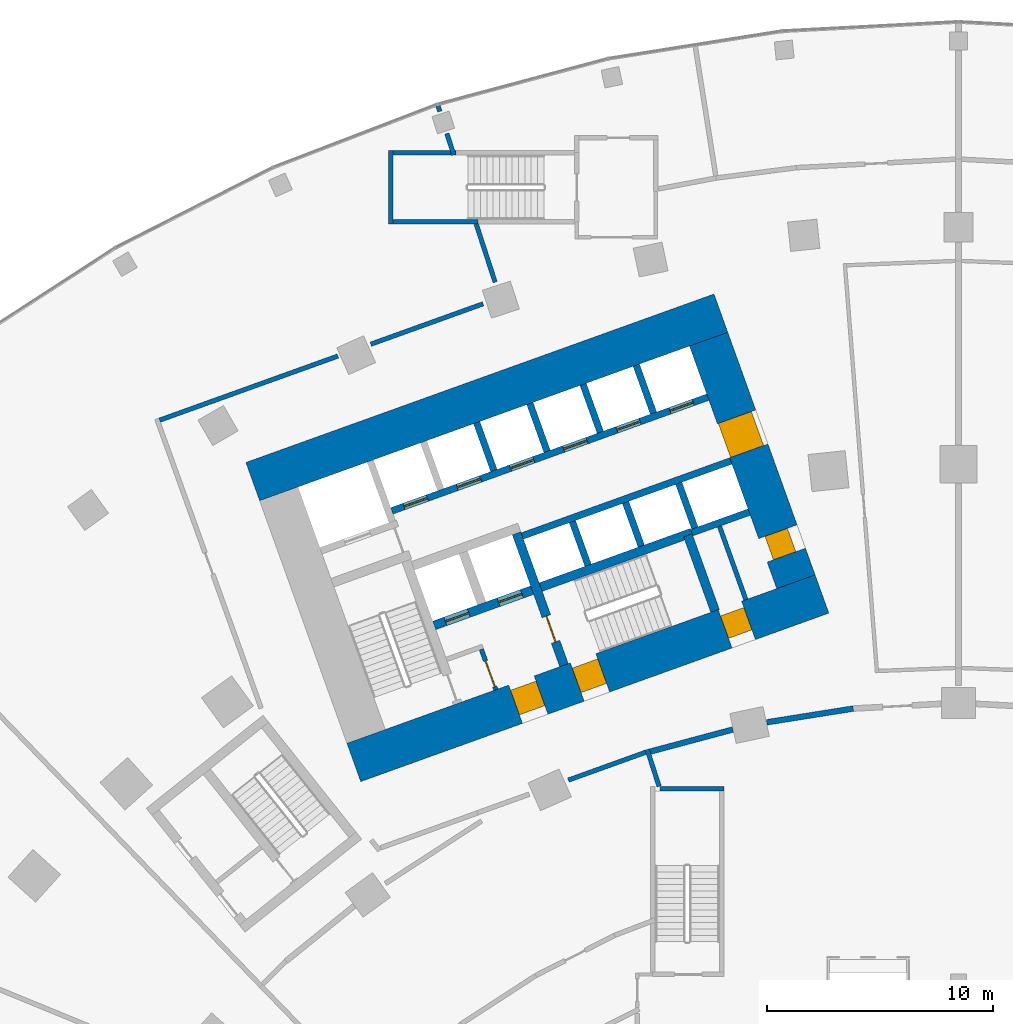
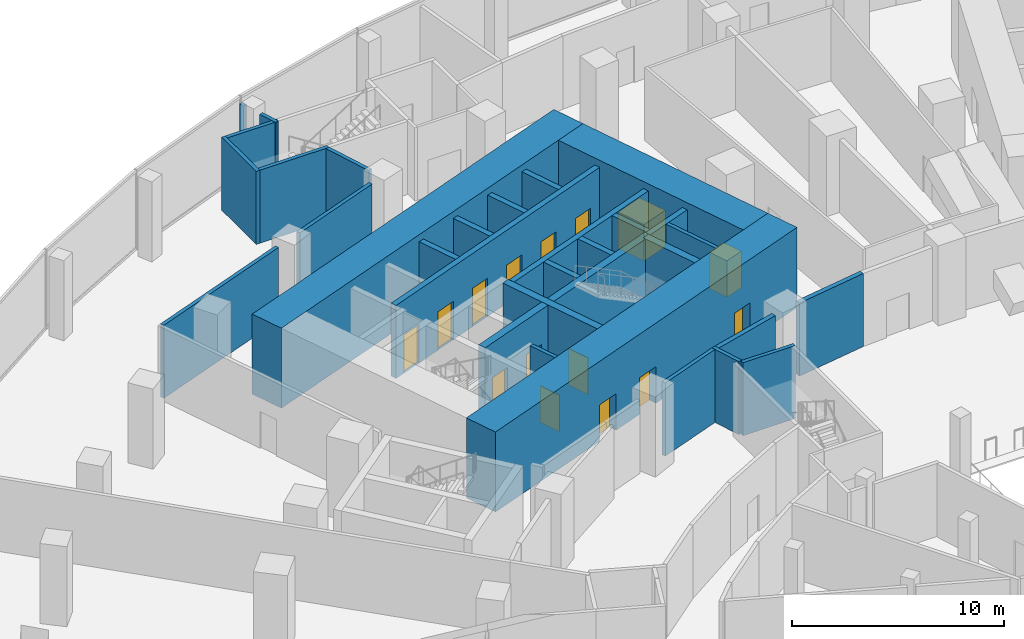
# One storey, part 24 of 40: 31 walls, 15 doors, 15 openings.
"""IFC4 building model written with IfcOpenShell, lengths in metres."""

from ifc_helpers import new_model, si_unit, direction, frame, frame_2d, origin, place, context, subcontext, project, spatial, rectangle, extrude, material, layer, layer_set, type_object, element, fill, save


model = new_model("IFC4")

# Units and contexts
model_context = context("Model", 3, precision=1e-05, world=origin(), true_north=direction((0.0, 1.0)))
body_context = subcontext(model_context, "Body", "Model", "MODEL_VIEW")
ifc_project = project(units=[si_unit("LENGTHUNIT", "METRE"), si_unit("AREAUNIT", "SQUARE_METRE"), si_unit("VOLUMEUNIT", "CUBIC_METRE"), si_unit("PLANEANGLEUNIT", "RADIAN"), si_unit("MASSUNIT", "GRAM", prefix="KILO")], contexts=[model_context])

# Site, building, storey
site_placement = place(None, origin())
site = spatial("IfcSite", under=ifc_project, at=site_placement, CompositionType="ELEMENT")
building_placement = place(site_placement, origin())
building = spatial("IfcBuilding", under=site, at=building_placement, Name="Stone Belt Terrace Tower", CompositionType="ELEMENT")
storey_placement = place(building_placement, frame((0.0, 0.0, 7.0)))
storey = spatial("IfcBuildingStorey", under=building, at=storey_placement, Name="L01", CompositionType="ELEMENT", Elevation=7.0)

# Wall, openings, doors
ifc_material_1 = material(Name="Concrete B80", Category="concrete")
ifc_layer_1 = layer(ifc_material_1, 1.800048828125)
ifc_layer_set_1 = layer_set([ifc_layer_1], Name="Core wall 1800 B80")
wall_type_1 = type_object("IfcWallType", Name="Core wall 1800 B80", PredefinedType="SHEAR", material=ifc_layer_set_1)
wall_1_placement = place(storey_placement, frame((-26.739501953125, 41.815673828125, 0.0), z_axis=(0.0, 0.0, 1.0), x_axis=(0.940921642213, 0.338624368902, 0.0)))
wall_1 = element("IfcWall", 1, at=wall_1_placement, inside=storey, type_object=wall_type_1, Name="Core A wall concave L01", PredefinedType="SHEAR", context=body_context, shape_type="SweptSolid", body=[
    extrude(rectangle(XDim=22.0, YDim=1.800048828125, at=frame_2d((11.0, 0.0))), origin(), (0.0, 0.0, 1.0), 4.60009765625),
])
opening_1_placement = place(wall_1_placement, frame((7.60009765625, 0.0, 0.0)))
opening_1 = element("IfcOpeningElement", 2, at=opening_1_placement, cuts=wall_1, Name="Opening L01-C05", PredefinedType="OPENING", context=body_context, shape_type="SweptSolid", body=[
    extrude(rectangle(XDim=1.199951171875, YDim=2.10009765625, at=frame_2d((0.60009765625, 1.050048828125))), frame((0.0, 0.909912109375, 0.0), z_axis=(0.0, -1.0, 0.0), x_axis=(1.0, 0.0, 0.0)), (0.0, 0.0, 1.0), 1.820068359375),
])
opening_2_placement = place(wall_1_placement, frame((10.5, 0.0, 0.0)))
opening_2 = element("IfcOpeningElement", 3, at=opening_2_placement, cuts=wall_1, Name="Opening L01-C07", PredefinedType="OPENING", context=body_context, shape_type="SweptSolid", body=[
    extrude(rectangle(XDim=1.199951171875, YDim=2.10009765625, at=frame_2d((0.60009765625, 1.050048828125))), frame((0.0, 0.909912109375, 0.0), z_axis=(0.0, -1.0, 0.0), x_axis=(1.0, 0.0, 0.0)), (0.0, 0.0, 1.0), 1.820068359375),
])
opening_3_placement = place(wall_1_placement, frame((17.449951171875, 0.0, 0.0)))
opening_3 = element("IfcOpeningElement", 4, at=opening_3_placement, cuts=wall_1, Name="Opening L01-C09", PredefinedType="OPENING", context=body_context, shape_type="SweptSolid", body=[
    extrude(rectangle(XDim=1.10009765625, YDim=2.10009765625, at=frame_2d((0.550048828125, 1.050048828125))), frame((0.0, 0.909912109375, 0.0), z_axis=(0.0, -1.0, 0.0), x_axis=(1.0, 0.0, 0.0)), (0.0, 0.0, 1.0), 1.820068359375),
])
ifc_material_2 = material(Name="Timber door leaf", Category="wood")
door_type_1 = type_object("IfcDoorType", Name="Core room door 1100", OperationType="SINGLE_SWING_LEFT", PredefinedType="DOOR", material=ifc_material_2)
door_1_placement = place(opening_3_placement, origin())
door_1 = element("IfcDoor", 5, at=door_1_placement, inside=storey, type_object=door_type_1, Name="Door to Communications riser room core A", OperationType="SINGLE_SWING_RIGHT", OverallHeight=2.10009765625, OverallWidth=1.10009765625, PredefinedType="DOOR", context=body_context, shape_type="SweptSolid", body=[
    extrude(rectangle(XDim=1.10009765625, YDim=2.10009765625, at=frame_2d((0.550048828125, 1.050048828125))), frame((0.0, 0.60498046875, 0.0), z_axis=(0.0, -1.0, 0.0), x_axis=(1.0, 0.0, 0.0)), (0.0, 0.0, 1.0), 1.050048828125),
])
fill(opening_3, door_1)
ifc_material_3 = material(Name="Steel door leaf", Category="steel")
door_type_2 = type_object("IfcDoorType", Name="Fire-fighting lobby door 1200", OperationType="SINGLE_SWING_LEFT", PredefinedType="DOOR", material=ifc_material_3)
door_2_placement = place(opening_1_placement, origin())
door_2 = element("IfcDoor", 6, at=door_2_placement, inside=storey, type_object=door_type_2, Name="Fire-fighting lobby door core A", OperationType="SINGLE_SWING_RIGHT", OverallHeight=2.10009765625, OverallWidth=1.199951171875, PredefinedType="DOOR", context=body_context, shape_type="SweptSolid", body=[
    extrude(rectangle(XDim=1.199951171875, YDim=2.10009765625, at=frame_2d((0.60009765625, 1.050048828125))), frame((0.0, 0.655029296875, 0.0), z_axis=(0.0, -1.0, 0.0), x_axis=(1.0, 0.0, 0.0)), (0.0, 0.0, 1.0), 1.14990234375),
])
fill(opening_1, door_2)
door_type_3 = type_object("IfcDoorType", Name="Stair door 1200", OperationType="SINGLE_SWING_LEFT", PredefinedType="DOOR", material=ifc_material_3)
door_3_placement = place(opening_2_placement, origin())
door_3 = element("IfcDoor", 7, at=door_3_placement, inside=storey, type_object=door_type_3, Name="Stair 2 exit door core A", OperationType="SINGLE_SWING_LEFT", OverallHeight=2.10009765625, OverallWidth=1.199951171875, PredefinedType="DOOR", context=body_context, shape_type="SweptSolid", body=[
    extrude(rectangle(XDim=1.199951171875, YDim=2.10009765625, at=frame_2d((0.60009765625, 1.050048828125))), frame((0.0, 0.655029296875, 0.0), z_axis=(0.0, -1.0, 0.0), x_axis=(1.0, 0.0, 0.0)), (0.0, 0.0, 1.0), 1.14990234375),
])
fill(opening_2, door_3)

# Wall
wall_2_placement = place(storey_placement, frame((-31.20947265625, 54.23583984375, 0.0), z_axis=(0.0, 0.0, 1.0), x_axis=(0.940922914687, 0.338620833112, 0.0)))
element("IfcWall", 8, at=wall_2_placement, inside=storey, type_object=wall_type_1, Name="Core A wall convex L01", PredefinedType="SHEAR", context=body_context, shape_type="SweptSolid", body=[
    extrude(rectangle(XDim=22.000244140625, YDim=1.800048828125, at=frame_2d((11.0, 0.0))), origin(), (0.0, 0.0, 1.0), 4.60009765625),
])

# Wall, openings, doors
wall_3_placement = place(storey_placement, frame((-7.19091796875, 49.8076171875, 0.0), z_axis=(0.0, 0.0, 1.0), x_axis=(-0.338632255135, 0.940918804033, 0.0)))
wall_3 = element("IfcWall", 9, at=wall_3_placement, inside=storey, type_object=wall_type_1, Name="Core A wall end_b L01", PredefinedType="SHEAR", context=body_context, shape_type="SweptSolid", body=[
    extrude(rectangle(XDim=11.39990234375, YDim=1.800048828125, at=frame_2d((5.699951171875, 0.0))), origin(), (0.0, 0.0, 1.0), 4.60009765625),
])
opening_4_placement = place(wall_3_placement, frame((6.14990234375, 0.0, 0.0)))
opening_4 = element("IfcOpeningElement", 10, at=opening_4_placement, cuts=wall_3, Name="Opening L01-C02", PredefinedType="OPENING", context=body_context, shape_type="SweptSolid", body=[
    extrude(rectangle(XDim=1.60009765625, YDim=2.10009765625, at=frame_2d((0.800048828125, 1.050048828125))), frame((0.0, 0.909912109375, 0.0), z_axis=(0.0, -1.0, 0.0), x_axis=(1.0, 0.0, 0.0)), (0.0, 0.0, 1.0), 1.820068359375),
])
opening_5_placement = place(wall_3_placement, frame((1.25, 0.0, 0.0)))
opening_5 = element("IfcOpeningElement", 11, at=opening_5_placement, cuts=wall_3, Name="Opening L01-C08", PredefinedType="OPENING", context=body_context, shape_type="SweptSolid", body=[
    extrude(rectangle(XDim=1.10009765625, YDim=2.10009765625, at=frame_2d((0.550048828125, 1.050048828125))), frame((0.0, 0.909912109375, 0.0), z_axis=(0.0, -1.0, 0.0), x_axis=(1.0, 0.0, 0.0)), (0.0, 0.0, 1.0), 1.820068359375),
])
door_4_placement = place(opening_5_placement, origin())
door_4 = element("IfcDoor", 12, at=door_4_placement, inside=storey, type_object=door_type_1, Name="Door to Cleaner's store core A", OperationType="SINGLE_SWING_LEFT", OverallHeight=2.10009765625, OverallWidth=1.10009765625, PredefinedType="DOOR", context=body_context, shape_type="SweptSolid", body=[
    extrude(rectangle(XDim=1.10009765625, YDim=2.10009765625, at=frame_2d((0.550048828125, 1.050048828125))), frame((0.0, 0.60498046875, 0.0), z_axis=(0.0, -1.0, 0.0), x_axis=(1.0, 0.0, 0.0)), (0.0, 0.0, 1.0), 1.050048828125),
])
fill(opening_5, door_4)
ifc_material_4 = material(Name="Glazed aluminium door leaf", Category="aluminium")
door_type_4 = type_object("IfcDoorType", Name="Lift lobby entrance door 1600", OperationType="DOUBLE_DOOR_SINGLE_SWING", PredefinedType="DOOR", material=ifc_material_4)
door_5_placement = place(opening_4_placement, origin())
door_5 = element("IfcDoor", 13, at=door_5_placement, inside=storey, type_object=door_type_4, Name="Lift lobby entrance door core A", OperationType="DOUBLE_DOOR_SINGLE_SWING", OverallHeight=2.10009765625, OverallWidth=1.60009765625, PredefinedType="DOOR", context=body_context, shape_type="SweptSolid", body=[
    extrude(rectangle(XDim=1.60009765625, YDim=2.10009765625, at=frame_2d((0.800048828125, 1.050048828125))), frame((0.0, 0.85498046875, 0.0), z_axis=(0.0, -1.0, 0.0), x_axis=(1.0, 0.0, 0.0)), (0.0, 0.0, 1.0), 1.550048828125),
])
fill(opening_4, door_5)

# Walls
ifc_material_5 = material(Name="Fire-resistant glazing in steel frame", Category="steel")
ifc_layer_2 = layer(ifc_material_5, 0.25)
ifc_layer_set_2 = layer_set([ifc_layer_2], Name="Glazed compartment fire screen 250")
wall_type_2 = type_object("IfcWallType", Name="Glazed compartment fire screen 250", PredefinedType="PARTITIONING", material=ifc_layer_set_2)
wall_4_placement = place(storey_placement, frame((-13.63330078125, 42.2958984375, 0.0), z_axis=(0.0, 0.0, 1.0), x_axis=(0.966100738004, 0.258165381159, 0.0)))
element("IfcWall", 14, at=wall_4_placement, inside=storey, type_object=wall_type_2, Name="Compartment fire screen L01 3", PredefinedType="PARTITIONING", context=body_context, shape_type="SweptSolid", body=[
    extrude(rectangle(XDim=3.778076171875, YDim=0.25, at=frame_2d((1.88916015625, 0.0))), origin(), (0.0, 0.0, 1.0), 4.199951171875),
])
wall_5_placement = place(storey_placement, frame((-8.4794921875, 43.5908203125, 0.0), z_axis=(0.0, 0.0, 1.0), x_axis=(0.98758230791, 0.157102466888, 0.0)))
element("IfcWall", 15, at=wall_5_placement, inside=storey, type_object=wall_type_2, Name="Compartment fire screen L01 4", PredefinedType="PARTITIONING", context=body_context, shape_type="SweptSolid", body=[
    extrude(rectangle(XDim=3.87109375, YDim=0.25, at=frame_2d((1.935546875, 0.0))), origin(), (0.0, 0.0, 1.0), 4.199951171875),
])

# Wall, openings, doors
ifc_layer_3 = layer(ifc_material_1, 0.300048828125)
ifc_layer_set_3 = layer_set([ifc_layer_3], Name="Lift shaft wall 300")
wall_type_3 = type_object("IfcWallType", Name="Lift shaft wall 300", PredefinedType="SHEAR", material=ifc_layer_set_3)
wall_6_placement = place(storey_placement, frame((-25.05810546875, 52.9423828125, 0.0), z_axis=(0.0, 0.0, 1.0), x_axis=(0.940918215764, 0.338633889685, 0.0)))
wall_6 = element("IfcWall", 16, at=wall_6_placement, inside=storey, type_object=wall_type_3, Name="Core A wall", PredefinedType="SHEAR", context=body_context, shape_type="SweptSolid", body=[
    extrude(rectangle(XDim=14.850341796875, YDim=0.300048828125, at=frame_2d((7.42529296875, 0.0))), origin(), (0.0, 0.0, 1.0), 4.199951171875),
])
opening_6_placement = place(wall_6_placement, frame((0.570068359375, 0.0, 0.0)))
opening_6 = element("IfcOpeningElement", 17, at=opening_6_placement, cuts=wall_6, Name="Opening L01-LD01", PredefinedType="OPENING", context=body_context, shape_type="SweptSolid", body=[
    extrude(rectangle(XDim=1.10009765625, YDim=2.199951171875, at=frame_2d((0.550048828125, 1.10009765625))), frame((0.0, 0.159912109375, 0.0), z_axis=(0.0, -1.0, 0.0), x_axis=(1.0, 0.0, 0.0)), (0.0, 0.0, 1.0), 0.320068359375),
])
opening_7_placement = place(wall_6_placement, frame((3.070068359375, 0.0, 0.0)))
opening_7 = element("IfcOpeningElement", 18, at=opening_7_placement, cuts=wall_6, Name="Opening L01-LD02", PredefinedType="OPENING", context=body_context, shape_type="SweptSolid", body=[
    extrude(rectangle(XDim=1.10009765625, YDim=2.199951171875, at=frame_2d((0.550048828125, 1.10009765625))), frame((0.0, 0.159912109375, 0.0), z_axis=(0.0, -1.0, 0.0), x_axis=(1.0, 0.0, 0.0)), (0.0, 0.0, 1.0), 0.320068359375),
])
opening_8_placement = place(wall_6_placement, frame((5.570068359375, 0.0, 0.0)))
opening_8 = element("IfcOpeningElement", 19, at=opening_8_placement, cuts=wall_6, Name="Opening L01-LD03", PredefinedType="OPENING", context=body_context, shape_type="SweptSolid", body=[
    extrude(rectangle(XDim=1.10009765625, YDim=2.199951171875, at=frame_2d((0.550048828125, 1.10009765625))), frame((0.0, 0.159912109375, 0.0), z_axis=(0.0, -1.0, 0.0), x_axis=(1.0, 0.0, 0.0)), (0.0, 0.0, 1.0), 0.320068359375),
])
opening_9_placement = place(wall_6_placement, frame((8.070068359375, 0.0, 0.0)))
opening_9 = element("IfcOpeningElement", 20, at=opening_9_placement, cuts=wall_6, Name="Opening L01-LD04", PredefinedType="OPENING", context=body_context, shape_type="SweptSolid", body=[
    extrude(rectangle(XDim=1.10009765625, YDim=2.199951171875, at=frame_2d((0.550048828125, 1.10009765625))), frame((0.0, 0.159912109375, 0.0), z_axis=(0.0, -1.0, 0.0), x_axis=(1.0, 0.0, 0.0)), (0.0, 0.0, 1.0), 0.320068359375),
])
opening_10_placement = place(wall_6_placement, frame((10.570068359375, 0.0, 0.0)))
opening_10 = element("IfcOpeningElement", 21, at=opening_10_placement, cuts=wall_6, Name="Opening L01-LD05", PredefinedType="OPENING", context=body_context, shape_type="SweptSolid", body=[
    extrude(rectangle(XDim=1.10009765625, YDim=2.199951171875, at=frame_2d((0.550048828125, 1.10009765625))), frame((0.0, 0.159912109375, 0.0), z_axis=(0.0, -1.0, 0.0), x_axis=(1.0, 0.0, 0.0)), (0.0, 0.0, 1.0), 0.320068359375),
])
opening_11_placement = place(wall_6_placement, frame((13.070068359375, 0.0, 0.0)))
opening_11 = element("IfcOpeningElement", 22, at=opening_11_placement, cuts=wall_6, Name="Opening L01-LD06", PredefinedType="OPENING", context=body_context, shape_type="SweptSolid", body=[
    extrude(rectangle(XDim=1.10009765625, YDim=2.199951171875, at=frame_2d((0.550048828125, 1.10009765625))), frame((0.0, 0.159912109375, 0.0), z_axis=(0.0, -1.0, 0.0), x_axis=(1.0, 0.0, 0.0)), (0.0, 0.0, 1.0), 0.320068359375),
])
ifc_material_6 = material(Name="Stainless steel door leaf", Category="steel")
door_type_5 = type_object("IfcDoorType", Name="Landing door 1100", OperationType="SLIDING_TO_LEFT", PredefinedType="DOOR", material=ifc_material_6)
door_6_placement = place(opening_6_placement, origin())
door_6 = element("IfcDoor", 23, at=door_6_placement, inside=storey, type_object=door_type_5, Name="Landing door LR1 core A", OperationType="SLIDING_TO_LEFT", OverallHeight=2.199951171875, OverallWidth=1.10009765625, PredefinedType="DOOR", context=body_context, shape_type="SweptSolid", body=[
    extrude(rectangle(XDim=1.10009765625, YDim=2.199951171875, at=frame_2d((0.550048828125, 1.10009765625))), frame((0.0, 0.02490234375, 0.0), z_axis=(0.0, -1.0, 0.0), x_axis=(1.0, 0.0, 0.0)), (0.0, 0.0, 1.0), 0.050048828125),
])
fill(opening_6, door_6)
door_7_placement = place(opening_7_placement, origin())
door_7 = element("IfcDoor", 24, at=door_7_placement, inside=storey, type_object=door_type_5, Name="Landing door LR2 core A", OperationType="SLIDING_TO_LEFT", OverallHeight=2.199951171875, OverallWidth=1.10009765625, PredefinedType="DOOR", context=body_context, shape_type="SweptSolid", body=[
    extrude(rectangle(XDim=1.10009765625, YDim=2.199951171875, at=frame_2d((0.550048828125, 1.10009765625))), frame((0.0, 0.02490234375, 0.0), z_axis=(0.0, -1.0, 0.0), x_axis=(1.0, 0.0, 0.0)), (0.0, 0.0, 1.0), 0.050048828125),
])
fill(opening_7, door_7)
door_8_placement = place(opening_8_placement, origin())
door_8 = element("IfcDoor", 25, at=door_8_placement, inside=storey, type_object=door_type_5, Name="Landing door LR3 core A", OperationType="SLIDING_TO_LEFT", OverallHeight=2.199951171875, OverallWidth=1.10009765625, PredefinedType="DOOR", context=body_context, shape_type="SweptSolid", body=[
    extrude(rectangle(XDim=1.10009765625, YDim=2.199951171875, at=frame_2d((0.550048828125, 1.10009765625))), frame((0.0, 0.02490234375, 0.0), z_axis=(0.0, -1.0, 0.0), x_axis=(1.0, 0.0, 0.0)), (0.0, 0.0, 1.0), 0.050048828125),
])
fill(opening_8, door_8)
door_9_placement = place(opening_9_placement, origin())
door_9 = element("IfcDoor", 26, at=door_9_placement, inside=storey, type_object=door_type_5, Name="Landing door LR4 core A", OperationType="SLIDING_TO_LEFT", OverallHeight=2.199951171875, OverallWidth=1.10009765625, PredefinedType="DOOR", context=body_context, shape_type="SweptSolid", body=[
    extrude(rectangle(XDim=1.10009765625, YDim=2.199951171875, at=frame_2d((0.550048828125, 1.10009765625))), frame((0.0, 0.02490234375, 0.0), z_axis=(0.0, -1.0, 0.0), x_axis=(1.0, 0.0, 0.0)), (0.0, 0.0, 1.0), 0.050048828125),
])
fill(opening_9, door_9)
door_10_placement = place(opening_10_placement, origin())
door_10 = element("IfcDoor", 27, at=door_10_placement, inside=storey, type_object=door_type_5, Name="Landing door LR5 core A", OperationType="SLIDING_TO_LEFT", OverallHeight=2.199951171875, OverallWidth=1.10009765625, PredefinedType="DOOR", context=body_context, shape_type="SweptSolid", body=[
    extrude(rectangle(XDim=1.10009765625, YDim=2.199951171875, at=frame_2d((0.550048828125, 1.10009765625))), frame((0.0, 0.02490234375, 0.0), z_axis=(0.0, -1.0, 0.0), x_axis=(1.0, 0.0, 0.0)), (0.0, 0.0, 1.0), 0.050048828125),
])
fill(opening_10, door_10)
door_11_placement = place(opening_11_placement, origin())
door_11 = element("IfcDoor", 28, at=door_11_placement, inside=storey, type_object=door_type_5, Name="Landing door LR6 core A", OperationType="SLIDING_TO_LEFT", OverallHeight=2.199951171875, OverallWidth=1.10009765625, PredefinedType="DOOR", context=body_context, shape_type="SweptSolid", body=[
    extrude(rectangle(XDim=1.10009765625, YDim=2.199951171875, at=frame_2d((0.550048828125, 1.10009765625))), frame((0.0, 0.02490234375, 0.0), z_axis=(0.0, -1.0, 0.0), x_axis=(1.0, 0.0, 0.0)), (0.0, 0.0, 1.0), 0.050048828125),
])
fill(opening_11, door_11)

# Walls
wall_7_placement = place(storey_placement, frame((-19.29052734375, 51.829833984375, 0.0), z_axis=(0.0, 0.0, 1.0), x_axis=(0.940925833398, 0.338612722803, 0.0)))
element("IfcWall", 29, at=wall_7_placement, inside=storey, type_object=wall_type_3, Name="Core A wall", PredefinedType="SHEAR", context=body_context, shape_type="SweptSolid", body=[
    extrude(rectangle(XDim=9.7998046875, YDim=0.300048828125, at=frame_2d((4.89990234375, 0.0))), origin(), (0.0, 0.0, 1.0), 4.199951171875),
])
wall_8_placement = place(storey_placement, frame((-20.54541015625, 54.72607421875, 0.0), z_axis=(0.0, 0.0, 1.0), x_axis=(-0.338569601369, 0.940941350472, 0.0)))
element("IfcWall", 30, at=wall_8_placement, inside=storey, type_object=wall_type_3, Name="Core A wall", PredefinedType="SHEAR", context=body_context, shape_type="SweptSolid", body=[
    extrude(rectangle(XDim=2.249755859375, YDim=0.300048828125, at=frame_2d((1.125, 0.0))), origin(), (0.0, 0.0, 1.0), 4.199951171875),
])
wall_9_placement = place(storey_placement, frame((-16.38134765625, 50.53857421875, 0.0), z_axis=(0.0, 0.0, 1.0), x_axis=(-0.338681515556, 0.940901073982, 0.0)))
element("IfcWall", 31, at=wall_9_placement, inside=storey, type_object=wall_type_3, Name="Core A wall", PredefinedType="SHEAR", context=body_context, shape_type="SweptSolid", body=[
    extrude(rectangle(XDim=2.050048828125, YDim=0.300048828125, at=frame_2d((1.02490234375, 0.0))), origin(), (0.0, 0.0, 1.0), 4.199951171875),
])
wall_10_placement = place(storey_placement, frame((-18.193115234375, 55.572509765625, 0.0), z_axis=(0.0, 0.0, 1.0), x_axis=(-0.338535034312, 0.940953787677, 0.0)))
element("IfcWall", 32, at=wall_10_placement, inside=storey, type_object=wall_type_3, Name="Core A wall", PredefinedType="SHEAR", context=body_context, shape_type="SweptSolid", body=[
    extrude(rectangle(XDim=2.25, YDim=0.300048828125, at=frame_2d((1.125, 0.0))), origin(), (0.0, 0.0, 1.0), 4.199951171875),
])
wall_11_placement = place(storey_placement, frame((-14.029052734375, 51.38525390625, 0.0), z_axis=(0.0, 0.0, 1.0), x_axis=(-0.338681515556, 0.940901073982, 0.0)))
element("IfcWall", 33, at=wall_11_placement, inside=storey, type_object=wall_type_3, Name="Core A wall", PredefinedType="SHEAR", context=body_context, shape_type="SweptSolid", body=[
    extrude(rectangle(XDim=2.050048828125, YDim=0.300048828125, at=frame_2d((1.02490234375, 0.0))), origin(), (0.0, 0.0, 1.0), 4.199951171875),
])
wall_12_placement = place(storey_placement, frame((-15.8408203125, 56.419189453125, 0.0), z_axis=(0.0, 0.0, 1.0), x_axis=(-0.338569601369, 0.940941350472, 0.0)))
element("IfcWall", 34, at=wall_12_placement, inside=storey, type_object=wall_type_3, Name="Core A wall", PredefinedType="SHEAR", context=body_context, shape_type="SweptSolid", body=[
    extrude(rectangle(XDim=2.249755859375, YDim=0.300048828125, at=frame_2d((1.125, 0.0))), origin(), (0.0, 0.0, 1.0), 4.199951171875),
])
wall_13_placement = place(storey_placement, frame((-11.797119140625, 51.975830078125, 0.0), z_axis=(0.0, 0.0, 1.0), x_axis=(0.940910465161, 0.33865542451, 0.0)))
element("IfcWall", 35, at=wall_13_placement, inside=storey, type_object=wall_type_3, Name="Core A wall", PredefinedType="SHEAR", context=body_context, shape_type="SweptSolid", body=[
    extrude(rectangle(XDim=2.69970703125, YDim=0.300048828125, at=frame_2d((1.349853515625, 0.0))), origin(), (0.0, 0.0, 1.0), 4.199951171875),
])
wall_14_placement = place(storey_placement, frame((-11.659912109375, 52.184814453125, 0.0), z_axis=(0.0, 0.0, 1.0), x_axis=(-0.338670064856, 0.940905195634, 0.0)))
element("IfcWall", 36, at=wall_14_placement, inside=storey, type_object=wall_type_3, Name="Core A wall", PredefinedType="SHEAR", context=body_context, shape_type="SweptSolid", body=[
    extrude(rectangle(XDim=2.099853515625, YDim=0.300048828125, at=frame_2d((1.0498046875, 0.0))), origin(), (0.0, 0.0, 1.0), 4.199951171875),
])
wall_15_placement = place(storey_placement, frame((-13.48828125, 57.265625, 0.0), z_axis=(0.0, 0.0, 1.0), x_axis=(-0.338631098537, 0.940919220286, 0.0)))
element("IfcWall", 37, at=wall_15_placement, inside=storey, type_object=wall_type_3, Name="Core A wall", PredefinedType="SHEAR", context=body_context, shape_type="SweptSolid", body=[
    extrude(rectangle(XDim=2.250244140625, YDim=0.300048828125, at=frame_2d((1.125, 0.0))), origin(), (0.0, 0.0, 1.0), 4.199951171875),
])
ifc_material_7 = material(Name="Blockwork wall, plastered both faces", Category="masonry")
ifc_layer_4 = layer(ifc_material_7, 0.199951171875)
ifc_layer_set_4 = layer_set([ifc_layer_4], Name="Podium demising wall 200")
wall_type_4 = type_object("IfcWallType", Name="Podium demising wall 200", PredefinedType="PARTITIONING", material=ifc_layer_set_4)
wall_16_placement = place(storey_placement, frame((-35.325927734375, 56.953857421875, 0.0), z_axis=(0.0, 0.0, 1.0), x_axis=(0.940968401959, 0.33849441135, 0.0)))
element("IfcWall", 38, at=wall_16_placement, inside=storey, type_object=wall_type_4, Name="Podium demising wall 200", PredefinedType="PARTITIONING", context=body_context, shape_type="SweptSolid", body=[
    extrude(rectangle(XDim=8.37451171875, YDim=0.199951171875, at=frame_2d((4.187255859375, 0.0))), origin(), (0.0, 0.0, 1.0), 4.199951171875),
])
wall_17_placement = place(storey_placement, frame((-25.988525390625, 60.312744140625, 0.0), z_axis=(0.0, 0.0, 1.0), x_axis=(0.940962329777, 0.338511290715, 0.0)))
element("IfcWall", 39, at=wall_17_placement, inside=storey, type_object=wall_type_4, Name="Podium demising wall 200", PredefinedType="PARTITIONING", context=body_context, shape_type="SweptSolid", body=[
    extrude(rectangle(XDim=5.274169921875, YDim=0.199951171875, at=frame_2d((2.63720703125, 0.0))), origin(), (0.0, 0.0, 1.0), 4.199951171875),
])
wall_18_placement = place(storey_placement, frame((-23.021240234375, 70.85400390625, 0.0), z_axis=(0.0, 0.0, 1.0), x_axis=(0.308117681969, -0.951348250673, 0.0)))
element("IfcWall", 40, at=wall_18_placement, inside=storey, type_object=wall_type_4, Name="Podium demising wall 200", PredefinedType="PARTITIONING", context=body_context, shape_type="SweptSolid", body=[
    extrude(rectangle(XDim=0.26220703125, YDim=0.199951171875, at=frame_2d((0.131103515625, 0.0))), origin(), (0.0, 0.0, 1.0), 4.199951171875),
])
wall_19_placement = place(storey_placement, frame((-22.62646484375, 69.634033203125, 0.0), z_axis=(0.0, 0.0, 1.0), x_axis=(0.307962881637, -0.951398372678, 0.0)))
element("IfcWall", 41, at=wall_19_placement, inside=storey, type_object=wall_type_4, Name="Podium demising wall 200", PredefinedType="PARTITIONING", context=body_context, shape_type="SweptSolid", body=[
    extrude(rectangle(XDim=1.0029296875, YDim=0.199951171875, at=frame_2d((0.50146484375, 0.0))), origin(), (0.0, 0.0, 1.0), 4.199951171875),
])
wall_20_placement = place(storey_placement, frame((-17.254150390625, 41.03515625, 0.0), z_axis=(0.0, 0.0, 1.0), x_axis=(0.940897697532, 0.338690895624, 0.0)))
element("IfcWall", 42, at=wall_20_placement, inside=storey, type_object=wall_type_4, Name="Podium demising wall 200", PredefinedType="PARTITIONING", context=body_context, shape_type="SweptSolid", body=[
    extrude(rectangle(XDim=3.630859375, YDim=0.199951171875, at=frame_2d((1.8154296875, 0.0))), origin(), (0.0, 0.0, 1.0), 4.199951171875),
])
wall_21_placement = place(storey_placement, frame((-21.329345703125, 65.6259765625, 0.0), z_axis=(0.0, 0.0, 1.0), x_axis=(0.309345127618, -0.950949836752, 0.0)))
element("IfcWall", 43, at=wall_21_placement, inside=storey, type_object=wall_type_4, Name="Podium demising wall 200", PredefinedType="PARTITIONING", context=body_context, shape_type="SweptSolid", body=[
    extrude(rectangle(XDim=2.706298828125, YDim=0.199951171875, at=frame_2d((1.35302734375, 0.0))), origin(), (0.0, 0.0, 1.0), 4.199951171875),
])
wall_22_placement = place(storey_placement, frame((-13.7685546875, 42.38916015625, 0.0), z_axis=(0.0, 0.0, 1.0), x_axis=(0.307444388482, -0.951566050251, 0.0)))
element("IfcWall", 44, at=wall_22_placement, inside=storey, type_object=wall_type_4, Name="Podium demising wall 200", PredefinedType="PARTITIONING", context=body_context, shape_type="SweptSolid", body=[
    extrude(rectangle(XDim=1.712158203125, YDim=0.199951171875, at=frame_2d((0.85595703125, 0.0))), origin(), (0.0, 0.0, 1.0), 4.199951171875),
])
ifc_material_8 = material(Name="Concrete B30", Category="concrete")
ifc_layer_5 = layer(ifc_material_8, 0.199951171875)
ifc_layer_set_5 = layer_set([ifc_layer_5], Name="Podium stair and shaft wall 200")
wall_type_5 = type_object("IfcWallType", Name="Podium stair and shaft wall 200", PredefinedType="SOLIDWALL", material=ifc_layer_set_5)
wall_23_placement = place(storey_placement, frame((-25.110107421875, 65.6201171875, 0.0), z_axis=(0.0, 0.0, 1.0), x_axis=(0.0, 1.0, 0.0)))
element("IfcWall", 45, at=wall_23_placement, inside=storey, type_object=wall_type_5, Name="Podium stair and shaft wall 200", PredefinedType="SOLIDWALL", context=body_context, shape_type="SweptSolid", body=[
    extrude(rectangle(XDim=3.259765625, YDim=0.199951171875, at=frame_2d((1.6298828125, 0.0))), origin(), (0.0, 0.0, 1.0), 4.199951171875),
])
wall_24_placement = place(storey_placement, frame((-25.010009765625, 65.719970703125, 0.0), z_axis=(0.0, 0.0, 1.0), x_axis=(1.0, 0.0, 0.0)))
element("IfcWall", 46, at=wall_24_placement, inside=storey, type_object=wall_type_5, Name="Podium stair and shaft wall 200", PredefinedType="SOLIDWALL", context=body_context, shape_type="SweptSolid", body=[
    extrude(rectangle(XDim=3.755126953125, YDim=0.199951171875, at=frame_2d((1.87744140625, 0.0))), origin(), (0.0, 0.0, 1.0), 4.199951171875),
])
wall_25_placement = place(storey_placement, frame((-25.010009765625, 68.780029296875, 0.0), z_axis=(0.0, 0.0, 1.0), x_axis=(1.0, 0.0, 0.0)))
element("IfcWall", 47, at=wall_25_placement, inside=storey, type_object=wall_type_5, Name="Podium stair and shaft wall 200", PredefinedType="SOLIDWALL", context=body_context, shape_type="SweptSolid", body=[
    extrude(rectangle(XDim=2.787109375, YDim=0.199951171875, at=frame_2d((1.3935546875, 0.0))), origin(), (0.0, 0.0, 1.0), 4.199951171875),
])
wall_26_placement = place(storey_placement, frame((-13.2099609375, 40.659912109375, 0.0), z_axis=(0.0, 0.0, 1.0), x_axis=(1.0, 0.0, 0.0)))
element("IfcWall", 48, at=wall_26_placement, inside=storey, type_object=wall_type_5, Name="Podium stair and shaft wall 200", PredefinedType="SOLIDWALL", context=body_context, shape_type="SweptSolid", body=[
    extrude(rectangle(XDim=2.83984375, YDim=0.199951171875, at=frame_2d((1.419921875, 0.0))), origin(), (0.0, 0.0, 1.0), 4.199951171875),
])

# Wall, opening, door
ifc_material_9 = material(Name="Concrete masonry block", Category="masonry")
ifc_layer_6 = layer(ifc_material_9, 0.199951171875)
ifc_layer_set_6 = layer_set([ifc_layer_6], Name="Rated lobby wall 200")
wall_type_6 = type_object("IfcWallType", Name="Rated lobby wall 200", PredefinedType="PARTITIONING", material=ifc_layer_set_6)
wall_27_placement = place(storey_placement, frame((-20.4580078125, 45.032958984375, 0.0), z_axis=(0.0, 0.0, 1.0), x_axis=(-0.338573865316, 0.940939816208, 0.0)))
wall_27 = element("IfcWall", 49, at=wall_27_placement, inside=storey, type_object=wall_type_6, Name="Core A wall", PredefinedType="PARTITIONING", context=body_context, shape_type="SweptSolid", body=[
    extrude(rectangle(XDim=1.900146484375, YDim=0.199951171875, at=frame_2d((0.9501953125, 0.0))), origin(), (0.0, 0.0, 1.0), 4.199951171875),
])
opening_12_placement = place(wall_27_placement, frame((0.14990234375, 0.0, 0.0)))
opening_12 = element("IfcOpeningElement", 50, at=opening_12_placement, cuts=wall_27, Name="Opening L01-C04", PredefinedType="OPENING", context=body_context, shape_type="SweptSolid", body=[
    extrude(rectangle(XDim=1.199951171875, YDim=2.10009765625, at=frame_2d((0.60009765625, 1.050048828125))), frame((0.0, 0.10986328125, 0.0), z_axis=(0.0, -1.0, 0.0), x_axis=(1.0, 0.0, 0.0)), (0.0, 0.0, 1.0), 0.219970703125),
])
door_12_placement = place(opening_12_placement, origin())
door_12 = element("IfcDoor", 51, at=door_12_placement, inside=storey, type_object=door_type_3, Name="Stair airlock door core A", OperationType="SINGLE_SWING_RIGHT", OverallHeight=2.10009765625, OverallWidth=1.199951171875, PredefinedType="DOOR", context=body_context, shape_type="SweptSolid", body=[
    extrude(rectangle(XDim=1.199951171875, YDim=2.10009765625, at=frame_2d((0.60009765625, 1.050048828125))), frame((0.0, 0.02490234375, 0.0), z_axis=(0.0, -1.0, 0.0), x_axis=(1.0, 0.0, 0.0)), (0.0, 0.0, 1.0), 0.050048828125),
])
fill(opening_12, door_12)

# Wall
wall_28_placement = place(storey_placement, frame((-9.402099609375, 49.01171875, 0.0), z_axis=(0.0, 0.0, 1.0), x_axis=(-0.338599189079, 0.940930703695, 0.0)))
element("IfcWall", 52, at=wall_28_placement, inside=storey, type_object=wall_type_6, Name="Core A wall", PredefinedType="PARTITIONING", context=body_context, shape_type="SweptSolid", body=[
    extrude(rectangle(XDim=3.4501953125, YDim=0.199951171875, at=frame_2d((1.72509765625, 0.0))), origin(), (0.0, 0.0, 1.0), 4.199951171875),
])

# Wall, openings, doors
ifc_layer_7 = layer(ifc_material_1, 0.39990234375)
ifc_layer_set_7 = layer_set([ifc_layer_7], Name="Stair enclosure wall 400")
wall_type_7 = type_object("IfcWallType", Name="Stair enclosure wall 400", PredefinedType="SHEAR", material=ifc_layer_set_7)
wall_29_placement = place(storey_placement, frame((-23.182373046875, 47.87841796875, 0.0), z_axis=(0.0, 0.0, 1.0), x_axis=(0.940921101762, 0.338625870628, 0.0)))
wall_29 = element("IfcWall", 53, at=wall_29_placement, inside=storey, type_object=wall_type_7, Name="Core A wall", PredefinedType="SHEAR", context=body_context, shape_type="SweptSolid", body=[
    extrude(rectangle(XDim=12.10009765625, YDim=0.39990234375, at=frame_2d((6.050048828125, 0.0))), origin(), (0.0, 0.0, 1.0), 4.199951171875),
])
opening_13_placement = place(wall_29_placement, frame((0.52001953125, 0.0, 0.0)))
opening_13 = element("IfcOpeningElement", 54, at=opening_13_placement, cuts=wall_29, Name="Opening L01-LD07", PredefinedType="OPENING", context=body_context, shape_type="SweptSolid", body=[
    extrude(rectangle(XDim=1.10009765625, YDim=2.199951171875, at=frame_2d((0.550048828125, 1.10009765625))), frame((0.0, 0.2099609375, 0.0), z_axis=(0.0, -1.0, 0.0), x_axis=(1.0, 0.0, 0.0)), (0.0, 0.0, 1.0), 0.419921875),
])
opening_14_placement = place(wall_29_placement, frame((3.02001953125, 0.0, 0.0)))
opening_14 = element("IfcOpeningElement", 55, at=opening_14_placement, cuts=wall_29, Name="Opening L01-LD08", PredefinedType="OPENING", context=body_context, shape_type="SweptSolid", body=[
    extrude(rectangle(XDim=1.10009765625, YDim=2.199951171875, at=frame_2d((0.550048828125, 1.10009765625))), frame((0.0, 0.2099609375, 0.0), z_axis=(0.0, -1.0, 0.0), x_axis=(1.0, 0.0, 0.0)), (0.0, 0.0, 1.0), 0.419921875),
])
door_13_placement = place(opening_13_placement, origin())
door_13 = element("IfcDoor", 56, at=door_13_placement, inside=storey, type_object=door_type_5, Name="Landing door FF1 core A", OperationType="SLIDING_TO_LEFT", OverallHeight=2.199951171875, OverallWidth=1.10009765625, PredefinedType="DOOR", context=body_context, shape_type="SweptSolid", body=[
    extrude(rectangle(XDim=1.10009765625, YDim=2.199951171875, at=frame_2d((0.550048828125, 1.10009765625))), frame((0.0, 0.02490234375, 0.0), z_axis=(0.0, -1.0, 0.0), x_axis=(1.0, 0.0, 0.0)), (0.0, 0.0, 1.0), 0.050048828125),
])
fill(opening_13, door_13)
door_14_placement = place(opening_14_placement, origin())
door_14 = element("IfcDoor", 57, at=door_14_placement, inside=storey, type_object=door_type_5, Name="Landing door FF2 core A", OperationType="SLIDING_TO_LEFT", OverallHeight=2.199951171875, OverallWidth=1.10009765625, PredefinedType="DOOR", context=body_context, shape_type="SweptSolid", body=[
    extrude(rectangle(XDim=1.10009765625, YDim=2.199951171875, at=frame_2d((0.550048828125, 1.10009765625))), frame((0.0, 0.02490234375, 0.0), z_axis=(0.0, -1.0, 0.0), x_axis=(1.0, 0.0, 0.0)), (0.0, 0.0, 1.0), 0.050048828125),
])
fill(opening_14, door_14)

# Wall, opening, door
wall_30_placement = place(storey_placement, frame((-17.447021484375, 46.116455078125, 0.0), z_axis=(0.0, 0.0, 1.0), x_axis=(-0.33860791464, 0.940927563707, 0.0)))
wall_30 = element("IfcWall", 58, at=wall_30_placement, inside=storey, type_object=wall_type_7, Name="Core A wall", PredefinedType="SHEAR", context=body_context, shape_type="SweptSolid", body=[
    extrude(rectangle(XDim=6.199951171875, YDim=0.39990234375, at=frame_2d((3.10009765625, 0.0))), origin(), (0.0, 0.0, 1.0), 4.199951171875),
])
opening_15_placement = place(wall_30_placement, frame((1.10009765625, 0.0, 0.0)))
opening_15 = element("IfcOpeningElement", 59, at=opening_15_placement, cuts=wall_30, Name="Opening L01-C06", PredefinedType="OPENING", context=body_context, shape_type="SweptSolid", body=[
    extrude(rectangle(XDim=1.199951171875, YDim=2.10009765625, at=frame_2d((0.60009765625, 1.050048828125))), frame((0.0, 0.2099609375, 0.0), z_axis=(0.0, -1.0, 0.0), x_axis=(1.0, 0.0, 0.0)), (0.0, 0.0, 1.0), 0.419921875),
])
door_15_placement = place(opening_15_placement, origin())
door_15 = element("IfcDoor", 60, at=door_15_placement, inside=storey, type_object=door_type_3, Name="Stair 2 door core A", OperationType="SINGLE_SWING_RIGHT", OverallHeight=2.10009765625, OverallWidth=1.199951171875, PredefinedType="DOOR", context=body_context, shape_type="SweptSolid", body=[
    extrude(rectangle(XDim=1.199951171875, YDim=2.10009765625, at=frame_2d((0.60009765625, 1.050048828125))), frame((0.0, 0.02490234375, 0.0), z_axis=(0.0, -1.0, 0.0), x_axis=(1.0, 0.0, 0.0)), (0.0, 0.0, 1.0), 0.050048828125),
])
fill(opening_15, door_15)

# Wall
wall_31_placement = place(storey_placement, frame((-10.766357421875, 48.520751953125, 0.0), z_axis=(0.0, 0.0, 1.0), x_axis=(-0.338626928157, 0.94092072117, 0.0)))
element("IfcWall", 61, at=wall_31_placement, inside=storey, type_object=wall_type_7, Name="Core A wall", PredefinedType="SHEAR", context=body_context, shape_type="SweptSolid", body=[
    extrude(rectangle(XDim=3.550048828125, YDim=0.39990234375, at=frame_2d((1.77490234375, 0.0))), origin(), (0.0, 0.0, 1.0), 4.199951171875),
])

save(model, "model.ifc")
